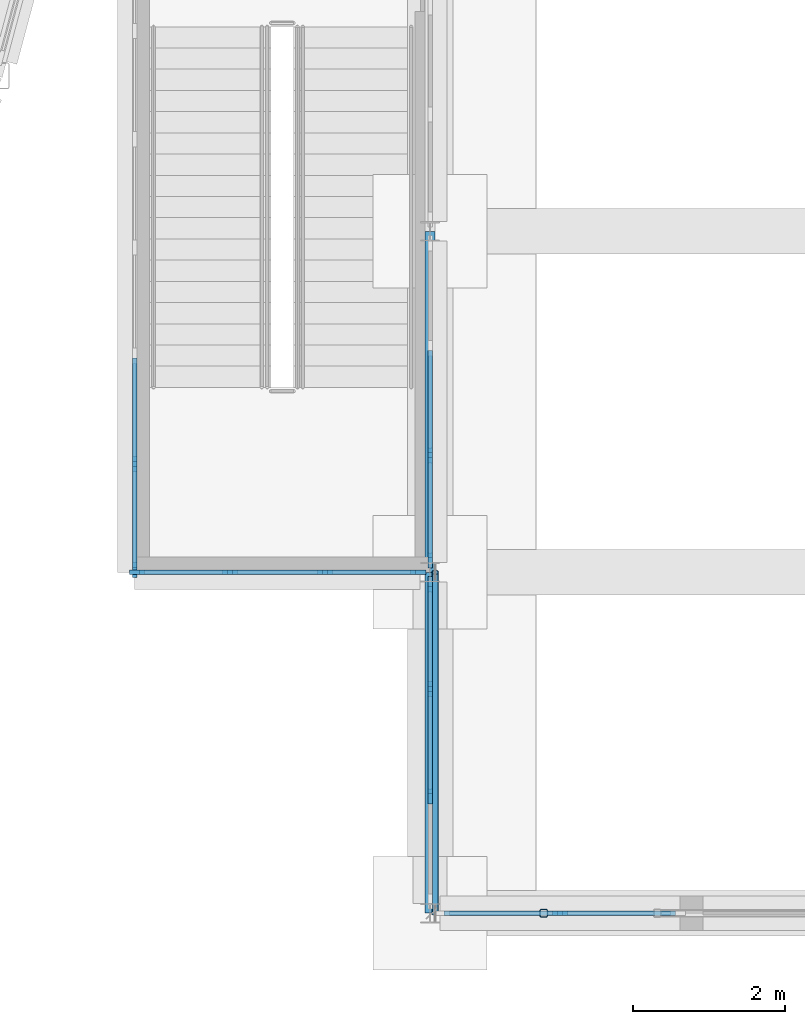
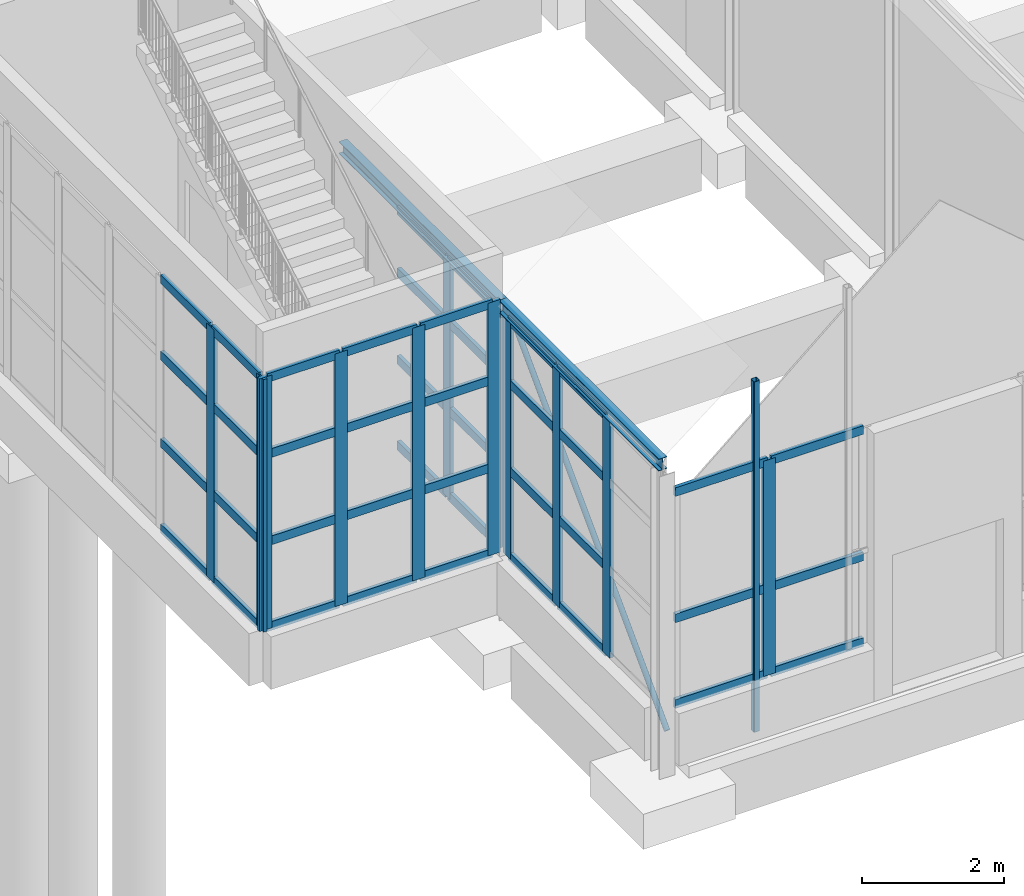
# One storey, part 39 of 106: 56 members, 2 beams, 5 elements without a shape of their own.
"""IFC4 building model written with IfcOpenShell, lengths in metres."""

from ifc_helpers import new_model, si_unit, direction, frame, origin, origin_2d, place, context, subcontext, project, spatial, rectangle, hollow_rectangle, hollow_circle, i_section, extrude, material, layer, layer_set, material_profile, profile_set, type_object, element, aggregate, save


model = new_model("IFC4")

# Units and contexts
model_context = context("Model", 3, precision=1e-05, world=origin(), true_north=direction((0.0, 1.0)))
body_context = subcontext(model_context, "Body", "Model", "MODEL_VIEW")
ifc_project = project(units=[si_unit("LENGTHUNIT", "METRE"), si_unit("AREAUNIT", "SQUARE_METRE"), si_unit("VOLUMEUNIT", "CUBIC_METRE"), si_unit("PLANEANGLEUNIT", "RADIAN"), si_unit("MASSUNIT", "GRAM", prefix="KILO")], contexts=[model_context])

# Site, building, storey
site_placement = place(None, origin())
site = spatial("IfcSite", under=ifc_project, at=site_placement, CompositionType="ELEMENT")
building_placement = place(site_placement, origin())
building = spatial("IfcBuilding", under=site, at=building_placement, Name="Hortulan Conservatory and Botanical Research Centre", CompositionType="ELEMENT")
storey_placement = place(building_placement, origin())
storey = spatial("IfcBuildingStorey", under=building, at=storey_placement, Name="L00", CompositionType="ELEMENT", Elevation=0.0)

# Curtain wall, members
ifc_material_1 = material(Name="Bronze-finished aluminium", Category="aluminium")
ifc_layer = layer(ifc_material_1, 0.10009765625)
ifc_layer_set = layer_set([ifc_layer], Name="Bronze-framed Curtain Wall 1500 module")
curtain_wall_type = type_object("IfcCurtainWallType", Name="Bronze-framed Curtain Wall 1500 module", PredefinedType="NOTDEFINED", material=ifc_layer_set)
curtain_wall_1_placement = place(storey_placement, origin())
curtain_wall_1 = element("IfcCurtainWall", 1, at=curtain_wall_1_placement, inside=storey, type_object=curtain_wall_type, Name="Curtain wall", PredefinedType="NOTDEFINED")
ifc_material_profile_1 = material_profile(ifc_material_1, rectangle(XDim=0.06005859375, YDim=0.199951171875, at=origin_2d()), Name="Bronze Mullion 60x200")
ifc_profile_set_1 = profile_set([ifc_material_profile_1], Name="Bronze-finished aluminium")
member_type_1 = type_object("IfcMemberType", Name="Bronze Mullion 60x200", PredefinedType="MULLION", material=ifc_profile_set_1)
member_1_placement = place(storey_placement, frame((76.343017578125, 4.5, 0.89990234375), z_axis=(0.0, 0.0, 1.0), x_axis=(0.0, -1.0, 0.0)))
member_1 = element("IfcMember", 2, at=member_1_placement, type_object=member_type_1, Name="CW1 mullion 1", PredefinedType="MULLION", context=body_context, shape_type="SweptSolid", body=[
    extrude(rectangle(XDim=0.06005859375, YDim=0.199951171875, at=origin_2d()), origin(), (0.0, 0.0, 1.0), 4.340087890625),
])
member_2_placement = place(storey_placement, frame((75.115234375, 4.5, 0.89990234375), z_axis=(0.0, 0.0, 1.0), x_axis=(0.0, -1.0, 0.0)))
member_2 = element("IfcMember", 3, at=member_2_placement, type_object=member_type_1, Name="CW1 mullion 2", PredefinedType="MULLION", context=body_context, shape_type="SweptSolid", body=[
    extrude(rectangle(XDim=0.06005859375, YDim=0.199951171875, at=origin_2d()), origin(), (0.0, 0.0, 1.0), 4.340087890625),
])
member_3_placement = place(storey_placement, frame((73.857666015625, 4.5, 0.89990234375), z_axis=(0.0, 0.0, 1.0), x_axis=(0.0, -1.0, 0.0)))
member_3 = element("IfcMember", 4, at=member_3_placement, type_object=member_type_1, Name="CW1 mullion 3", PredefinedType="MULLION", context=body_context, shape_type="SweptSolid", body=[
    extrude(rectangle(XDim=0.06005859375, YDim=0.199951171875, at=origin_2d()), origin(), (0.0, 0.0, 1.0), 4.340087890625),
])
member_4_placement = place(storey_placement, frame((72.6298828125, 4.5, 0.89990234375), z_axis=(0.0, 0.0, 1.0), x_axis=(0.0, -1.0, 0.0)))
member_4 = element("IfcMember", 5, at=member_4_placement, type_object=member_type_1, Name="CW1 mullion 4", PredefinedType="MULLION", context=body_context, shape_type="SweptSolid", body=[
    extrude(rectangle(XDim=0.06005859375, YDim=0.199951171875, at=origin_2d()), origin(), (0.0, 0.0, 1.0), 4.340087890625),
])

curtain_wall_2_placement = place(storey_placement, origin())
curtain_wall_2 = element("IfcCurtainWall", 6, at=curtain_wall_2_placement, inside=storey, type_object=curtain_wall_type, Name="Curtain wall", PredefinedType="NOTDEFINED")
member_5_placement = place(storey_placement, frame((72.60009765625, 4.530029296875, 0.89990234375), z_axis=(0.0, 0.0, 1.0), x_axis=(-1.0, 0.0, 0.0)))
member_5 = element("IfcMember", 7, at=member_5_placement, type_object=member_type_1, Name="CW1 mullion 1", PredefinedType="MULLION", context=body_context, shape_type="SweptSolid", body=[
    extrude(rectangle(XDim=0.06005859375, YDim=0.199951171875, at=origin_2d()), origin(), (0.0, 0.0, 1.0), 4.340087890625),
])
member_6_placement = place(storey_placement, frame((72.60009765625, 5.9287109375, 0.89990234375), z_axis=(0.0, 0.0, 1.0), x_axis=(-1.0, 0.0, 0.0)))
member_6 = element("IfcMember", 8, at=member_6_placement, type_object=member_type_1, Name="CW1 mullion 2", PredefinedType="MULLION", context=body_context, shape_type="SweptSolid", body=[
    extrude(rectangle(XDim=0.06005859375, YDim=0.199951171875, at=origin_2d()), origin(), (0.0, 0.0, 1.0), 4.340087890625),
])

# Curtain wall, member
curtain_wall_3_placement = place(storey_placement, origin())
curtain_wall_3 = element("IfcCurtainWall", 9, at=curtain_wall_3_placement, inside=storey, type_object=curtain_wall_type, Name="Curtain wall", PredefinedType="NOTDEFINED")
member_7_placement = place(storey_placement, frame((78.21337890625, 0.0, 0.89990234375), z_axis=(0.0, 0.0, 1.0), x_axis=(0.0, -1.0, 0.0)))
member_7 = element("IfcMember", 10, at=member_7_placement, type_object=member_type_1, Name="CW1 mullion 2", PredefinedType="MULLION", context=body_context, shape_type="SweptSolid", body=[
    extrude(rectangle(XDim=0.06005859375, YDim=0.199951171875, at=origin_2d()), origin(), (0.0, 0.0, 1.0), 3.7001953125),
])

# Curtain wall, members
curtain_wall_4_placement = place(storey_placement, origin())
curtain_wall_4 = element("IfcCurtainWall", 11, at=curtain_wall_4_placement, inside=storey, type_object=curtain_wall_type, Name="Curtain wall", PredefinedType="NOTDEFINED")
member_8_placement = place(storey_placement, frame((76.5, 6.042236328125, 0.89990234375), z_axis=(0.0, 0.0, 1.0), x_axis=(1.0, 0.0, 0.0)))
member_8 = element("IfcMember", 12, at=member_8_placement, type_object=member_type_1, Name="CW1 mullion 3", PredefinedType="MULLION", context=body_context, shape_type="SweptSolid", body=[
    extrude(rectangle(XDim=0.06005859375, YDim=0.199951171875, at=origin_2d()), origin(), (0.0, 0.0, 1.0), 4.10009765625),
])
member_9_placement = place(storey_placement, frame((76.5, 4.656982421875, 0.89990234375), z_axis=(0.0, 0.0, 1.0), x_axis=(1.0, 0.0, 0.0)))
member_9 = element("IfcMember", 13, at=member_9_placement, type_object=member_type_1, Name="CW1 mullion 4", PredefinedType="MULLION", context=body_context, shape_type="SweptSolid", body=[
    extrude(rectangle(XDim=0.06005859375, YDim=0.199951171875, at=origin_2d()), origin(), (0.0, 0.0, 1.0), 4.10009765625),
])

curtain_wall_5_placement = place(storey_placement, origin())
curtain_wall_5 = element("IfcCurtainWall", 14, at=curtain_wall_5_placement, inside=storey, type_object=curtain_wall_type, Name="Curtain wall", PredefinedType="NOTDEFINED")
member_10_placement = place(storey_placement, frame((76.5, 4.343017578125, 0.89990234375), z_axis=(0.0, 0.0, 1.0), x_axis=(1.0, 0.0, 0.0)))
member_10 = element("IfcMember", 15, at=member_10_placement, type_object=member_type_1, Name="CW1 mullion 1", PredefinedType="MULLION", context=body_context, shape_type="SweptSolid", body=[
    extrude(rectangle(XDim=0.06005859375, YDim=0.199951171875, at=origin_2d()), origin(), (0.0, 0.0, 1.0), 4.10009765625),
])
member_11_placement = place(storey_placement, frame((76.5, 2.957763671875, 0.89990234375), z_axis=(0.0, 0.0, 1.0), x_axis=(1.0, 0.0, 0.0)))
member_11 = element("IfcMember", 16, at=member_11_placement, type_object=member_type_1, Name="CW1 mullion 2", PredefinedType="MULLION", context=body_context, shape_type="SweptSolid", body=[
    extrude(rectangle(XDim=0.06005859375, YDim=0.199951171875, at=origin_2d()), origin(), (0.0, 0.0, 1.0), 4.10009765625),
])
member_12_placement = place(storey_placement, frame((76.5, 1.542236328125, 0.89990234375), z_axis=(0.0, 0.0, 1.0), x_axis=(1.0, 0.0, 0.0)))
member_12 = element("IfcMember", 17, at=member_12_placement, type_object=member_type_1, Name="CW1 mullion 3", PredefinedType="MULLION", context=body_context, shape_type="SweptSolid", body=[
    extrude(rectangle(XDim=0.06005859375, YDim=0.199951171875, at=origin_2d()), origin(), (0.0, 0.0, 1.0), 4.10009765625),
])

# Member
ifc_material_profile_2 = material_profile(ifc_material_1, rectangle(XDim=0.06005859375, YDim=0.14990234375, at=origin_2d()), Name="Bronze Transom 60x150")
ifc_profile_set_2 = profile_set([ifc_material_profile_2], Name="Bronze-finished aluminium")
member_type_2 = type_object("IfcMemberType", Name="Bronze Transom 60x150", PredefinedType="USERDEFINED", material=ifc_profile_set_2)
member_13_placement = place(storey_placement, frame((76.31298828125, 4.5, 0.929931640625), z_axis=(-1.0, 0.0, 0.0), x_axis=(0.0, -1.0, 0.0)))
member_13 = element("IfcMember", 18, at=member_13_placement, type_object=member_type_2, Name="CW1 transom 1.1", ObjectType="TRANSOM", PredefinedType="USERDEFINED", context=body_context, shape_type="SweptSolid", body=[
    extrude(rectangle(XDim=0.06005859375, YDim=0.14990234375, at=origin_2d()), origin(), (0.0, 0.0, 1.0), 1.167724609375),
])

member_14_placement = place(storey_placement, frame((76.31298828125, 4.5, 2.39990234375), z_axis=(-1.0, 0.0, 0.0), x_axis=(0.0, -1.0, 0.0)))
member_14 = element("IfcMember", 19, at=member_14_placement, type_object=member_type_2, Name="CW1 transom 1.2", ObjectType="TRANSOM", PredefinedType="USERDEFINED", context=body_context, shape_type="SweptSolid", body=[
    extrude(rectangle(XDim=0.06005859375, YDim=0.14990234375, at=origin_2d()), origin(), (0.0, 0.0, 1.0), 1.167724609375),
])

member_15_placement = place(storey_placement, frame((76.31298828125, 4.5, 3.89990234375), z_axis=(-1.0, 0.0, 0.0), x_axis=(0.0, -1.0, 0.0)))
member_15 = element("IfcMember", 20, at=member_15_placement, type_object=member_type_2, Name="CW1 transom 1.3", ObjectType="TRANSOM", PredefinedType="USERDEFINED", context=body_context, shape_type="SweptSolid", body=[
    extrude(rectangle(XDim=0.06005859375, YDim=0.14990234375, at=origin_2d()), origin(), (0.0, 0.0, 1.0), 1.167724609375),
])

member_16_placement = place(storey_placement, frame((76.31298828125, 4.5, 5.2099609375), z_axis=(-1.0, 0.0, 0.0), x_axis=(0.0, -1.0, 0.0)))
member_16 = element("IfcMember", 21, at=member_16_placement, type_object=member_type_2, Name="CW1 transom 1.4", ObjectType="TRANSOM", PredefinedType="USERDEFINED", context=body_context, shape_type="SweptSolid", body=[
    extrude(rectangle(XDim=0.06005859375, YDim=0.14990234375, at=origin_2d()), origin(), (0.0, 0.0, 1.0), 1.167724609375),
])

member_17_placement = place(storey_placement, frame((75.08544921875, 4.5, 0.929931640625), z_axis=(-1.0, 0.0, 0.0), x_axis=(0.0, -1.0, 0.0)))
member_17 = element("IfcMember", 22, at=member_17_placement, type_object=member_type_2, Name="CW1 transom 2.1", ObjectType="TRANSOM", PredefinedType="USERDEFINED", context=body_context, shape_type="SweptSolid", body=[
    extrude(rectangle(XDim=0.06005859375, YDim=0.14990234375, at=origin_2d()), origin(), (0.0, 0.0, 1.0), 1.19775390625),
])

member_18_placement = place(storey_placement, frame((75.08544921875, 4.5, 2.39990234375), z_axis=(-1.0, 0.0, 0.0), x_axis=(0.0, -1.0, 0.0)))
member_18 = element("IfcMember", 23, at=member_18_placement, type_object=member_type_2, Name="CW1 transom 2.2", ObjectType="TRANSOM", PredefinedType="USERDEFINED", context=body_context, shape_type="SweptSolid", body=[
    extrude(rectangle(XDim=0.06005859375, YDim=0.14990234375, at=origin_2d()), origin(), (0.0, 0.0, 1.0), 1.19775390625),
])

member_19_placement = place(storey_placement, frame((75.08544921875, 4.5, 3.89990234375), z_axis=(-1.0, 0.0, 0.0), x_axis=(0.0, -1.0, 0.0)))
member_19 = element("IfcMember", 24, at=member_19_placement, type_object=member_type_2, Name="CW1 transom 2.3", ObjectType="TRANSOM", PredefinedType="USERDEFINED", context=body_context, shape_type="SweptSolid", body=[
    extrude(rectangle(XDim=0.06005859375, YDim=0.14990234375, at=origin_2d()), origin(), (0.0, 0.0, 1.0), 1.19775390625),
])

member_20_placement = place(storey_placement, frame((75.08544921875, 4.5, 5.2099609375), z_axis=(-1.0, 0.0, 0.0), x_axis=(0.0, -1.0, 0.0)))
member_20 = element("IfcMember", 25, at=member_20_placement, type_object=member_type_2, Name="CW1 transom 2.4", ObjectType="TRANSOM", PredefinedType="USERDEFINED", context=body_context, shape_type="SweptSolid", body=[
    extrude(rectangle(XDim=0.06005859375, YDim=0.14990234375, at=origin_2d()), origin(), (0.0, 0.0, 1.0), 1.19775390625),
])

member_21_placement = place(storey_placement, frame((73.82763671875, 4.5, 0.929931640625), z_axis=(-1.0, 0.0, 0.0), x_axis=(0.0, -1.0, 0.0)))
member_21 = element("IfcMember", 26, at=member_21_placement, type_object=member_type_2, Name="CW1 transom 3.1", ObjectType="TRANSOM", PredefinedType="USERDEFINED", context=body_context, shape_type="SweptSolid", body=[
    extrude(rectangle(XDim=0.06005859375, YDim=0.14990234375, at=origin_2d()), origin(), (0.0, 0.0, 1.0), 1.167724609375),
])

member_22_placement = place(storey_placement, frame((73.82763671875, 4.5, 2.39990234375), z_axis=(-1.0, 0.0, 0.0), x_axis=(0.0, -1.0, 0.0)))
member_22 = element("IfcMember", 27, at=member_22_placement, type_object=member_type_2, Name="CW1 transom 3.2", ObjectType="TRANSOM", PredefinedType="USERDEFINED", context=body_context, shape_type="SweptSolid", body=[
    extrude(rectangle(XDim=0.06005859375, YDim=0.14990234375, at=origin_2d()), origin(), (0.0, 0.0, 1.0), 1.167724609375),
])

member_23_placement = place(storey_placement, frame((73.82763671875, 4.5, 3.89990234375), z_axis=(-1.0, 0.0, 0.0), x_axis=(0.0, -1.0, 0.0)))
member_23 = element("IfcMember", 28, at=member_23_placement, type_object=member_type_2, Name="CW1 transom 3.3", ObjectType="TRANSOM", PredefinedType="USERDEFINED", context=body_context, shape_type="SweptSolid", body=[
    extrude(rectangle(XDim=0.06005859375, YDim=0.14990234375, at=origin_2d()), origin(), (0.0, 0.0, 1.0), 1.167724609375),
])

member_24_placement = place(storey_placement, frame((73.82763671875, 4.5, 5.2099609375), z_axis=(-1.0, 0.0, 0.0), x_axis=(0.0, -1.0, 0.0)))
member_24 = element("IfcMember", 29, at=member_24_placement, type_object=member_type_2, Name="CW1 transom 3.4", ObjectType="TRANSOM", PredefinedType="USERDEFINED", context=body_context, shape_type="SweptSolid", body=[
    extrude(rectangle(XDim=0.06005859375, YDim=0.14990234375, at=origin_2d()), origin(), (0.0, 0.0, 1.0), 1.167724609375),
])

aggregate(curtain_wall_1, [member_1, member_2, member_3, member_4, member_13, member_14, member_15, member_16, member_17, member_18, member_19, member_20, member_21, member_22, member_23, member_24])

member_25_placement = place(storey_placement, frame((72.60009765625, 4.56005859375, 0.929931640625), z_axis=(0.0, 1.0, 0.0), x_axis=(-1.0, 0.0, 0.0)))
member_25 = element("IfcMember", 30, at=member_25_placement, type_object=member_type_2, Name="CW1 transom 1.1", ObjectType="TRANSOM", PredefinedType="USERDEFINED", context=body_context, shape_type="SweptSolid", body=[
    extrude(rectangle(XDim=0.06005859375, YDim=0.14990234375, at=origin_2d()), origin(), (0.0, 0.0, 1.0), 1.338623046875),
])

member_26_placement = place(storey_placement, frame((72.60009765625, 4.56005859375, 2.39990234375), z_axis=(0.0, 1.0, 0.0), x_axis=(-1.0, 0.0, 0.0)))
member_26 = element("IfcMember", 31, at=member_26_placement, type_object=member_type_2, Name="CW1 transom 1.2", ObjectType="TRANSOM", PredefinedType="USERDEFINED", context=body_context, shape_type="SweptSolid", body=[
    extrude(rectangle(XDim=0.06005859375, YDim=0.14990234375, at=origin_2d()), origin(), (0.0, 0.0, 1.0), 1.338623046875),
])

member_27_placement = place(storey_placement, frame((72.60009765625, 4.56005859375, 3.89990234375), z_axis=(0.0, 1.0, 0.0), x_axis=(-1.0, 0.0, 0.0)))
member_27 = element("IfcMember", 32, at=member_27_placement, type_object=member_type_2, Name="CW1 transom 1.3", ObjectType="TRANSOM", PredefinedType="USERDEFINED", context=body_context, shape_type="SweptSolid", body=[
    extrude(rectangle(XDim=0.06005859375, YDim=0.14990234375, at=origin_2d()), origin(), (0.0, 0.0, 1.0), 1.338623046875),
])

member_28_placement = place(storey_placement, frame((72.60009765625, 4.56005859375, 5.2099609375), z_axis=(0.0, 1.0, 0.0), x_axis=(-1.0, 0.0, 0.0)))
member_28 = element("IfcMember", 33, at=member_28_placement, type_object=member_type_2, Name="CW1 transom 1.4", ObjectType="TRANSOM", PredefinedType="USERDEFINED", context=body_context, shape_type="SweptSolid", body=[
    extrude(rectangle(XDim=0.06005859375, YDim=0.14990234375, at=origin_2d()), origin(), (0.0, 0.0, 1.0), 1.338623046875),
])

member_29_placement = place(storey_placement, frame((72.60009765625, 5.958740234375, 0.929931640625), z_axis=(0.0, 1.0, 0.0), x_axis=(-1.0, 0.0, 0.0)))
member_29 = element("IfcMember", 34, at=member_29_placement, type_object=member_type_2, Name="CW1 transom 2.1", ObjectType="TRANSOM", PredefinedType="USERDEFINED", context=body_context, shape_type="SweptSolid", body=[
    extrude(rectangle(XDim=0.06005859375, YDim=0.14990234375, at=origin_2d()), origin(), (0.0, 0.0, 1.0), 1.368896484375),
])

member_30_placement = place(storey_placement, frame((72.60009765625, 5.958740234375, 2.39990234375), z_axis=(0.0, 1.0, 0.0), x_axis=(-1.0, 0.0, 0.0)))
member_30 = element("IfcMember", 35, at=member_30_placement, type_object=member_type_2, Name="CW1 transom 2.2", ObjectType="TRANSOM", PredefinedType="USERDEFINED", context=body_context, shape_type="SweptSolid", body=[
    extrude(rectangle(XDim=0.06005859375, YDim=0.14990234375, at=origin_2d()), origin(), (0.0, 0.0, 1.0), 1.368896484375),
])

member_31_placement = place(storey_placement, frame((72.60009765625, 5.958740234375, 3.89990234375), z_axis=(0.0, 1.0, 0.0), x_axis=(-1.0, 0.0, 0.0)))
member_31 = element("IfcMember", 36, at=member_31_placement, type_object=member_type_2, Name="CW1 transom 2.3", ObjectType="TRANSOM", PredefinedType="USERDEFINED", context=body_context, shape_type="SweptSolid", body=[
    extrude(rectangle(XDim=0.06005859375, YDim=0.14990234375, at=origin_2d()), origin(), (0.0, 0.0, 1.0), 1.368896484375),
])

member_32_placement = place(storey_placement, frame((72.60009765625, 5.958740234375, 5.2099609375), z_axis=(0.0, 1.0, 0.0), x_axis=(-1.0, 0.0, 0.0)))
member_32 = element("IfcMember", 37, at=member_32_placement, type_object=member_type_2, Name="CW1 transom 2.4", ObjectType="TRANSOM", PredefinedType="USERDEFINED", context=body_context, shape_type="SweptSolid", body=[
    extrude(rectangle(XDim=0.06005859375, YDim=0.14990234375, at=origin_2d()), origin(), (0.0, 0.0, 1.0), 1.368896484375),
])

aggregate(curtain_wall_2, [member_5, member_6, member_25, member_26, member_27, member_28, member_29, member_30, member_31, member_32])

member_33_placement = place(storey_placement, frame((79.739990234375, 0.0, 0.929931640625), z_axis=(-1.0, 0.0, 0.0), x_axis=(0.0, -1.0, 0.0)))
member_33 = element("IfcMember", 38, at=member_33_placement, type_object=member_type_2, Name="CW1 transom 1.1", ObjectType="TRANSOM", PredefinedType="USERDEFINED", context=body_context, shape_type="SweptSolid", body=[
    extrude(rectangle(XDim=0.06005859375, YDim=0.14990234375, at=origin_2d()), origin(), (0.0, 0.0, 1.0), 1.49658203125),
])

member_34_placement = place(storey_placement, frame((79.739990234375, 0.0, 2.39990234375), z_axis=(-1.0, 0.0, 0.0), x_axis=(0.0, -1.0, 0.0)))
member_34 = element("IfcMember", 39, at=member_34_placement, type_object=member_type_2, Name="CW1 transom 1.2", ObjectType="TRANSOM", PredefinedType="USERDEFINED", context=body_context, shape_type="SweptSolid", body=[
    extrude(rectangle(XDim=0.06005859375, YDim=0.14990234375, at=origin_2d()), origin(), (0.0, 0.0, 1.0), 1.49658203125),
])

member_35_placement = place(storey_placement, frame((79.739990234375, 0.0, 4.570068359375), z_axis=(-1.0, 0.0, 0.0), x_axis=(0.0, -1.0, 0.0)))
member_35 = element("IfcMember", 40, at=member_35_placement, type_object=member_type_2, Name="CW1 transom 1.3", ObjectType="TRANSOM", PredefinedType="USERDEFINED", context=body_context, shape_type="SweptSolid", body=[
    extrude(rectangle(XDim=0.06005859375, YDim=0.14990234375, at=origin_2d()), origin(), (0.0, 0.0, 1.0), 1.49658203125),
])

member_36_placement = place(storey_placement, frame((78.18359375, 0.0, 0.929931640625), z_axis=(-1.0, 0.0, 0.0), x_axis=(0.0, -1.0, 0.0)))
member_36 = element("IfcMember", 41, at=member_36_placement, type_object=member_type_2, Name="CW1 transom 2.1", ObjectType="TRANSOM", PredefinedType="USERDEFINED", context=body_context, shape_type="SweptSolid", body=[
    extrude(rectangle(XDim=0.06005859375, YDim=0.14990234375, at=origin_2d()), origin(), (0.0, 0.0, 1.0), 1.49658203125),
])

member_37_placement = place(storey_placement, frame((78.18359375, 0.0, 2.39990234375), z_axis=(-1.0, 0.0, 0.0), x_axis=(0.0, -1.0, 0.0)))
member_37 = element("IfcMember", 42, at=member_37_placement, type_object=member_type_2, Name="CW1 transom 2.2", ObjectType="TRANSOM", PredefinedType="USERDEFINED", context=body_context, shape_type="SweptSolid", body=[
    extrude(rectangle(XDim=0.06005859375, YDim=0.14990234375, at=origin_2d()), origin(), (0.0, 0.0, 1.0), 1.49658203125),
])

member_38_placement = place(storey_placement, frame((78.18359375, 0.0, 4.570068359375), z_axis=(-1.0, 0.0, 0.0), x_axis=(0.0, -1.0, 0.0)))
member_38 = element("IfcMember", 43, at=member_38_placement, type_object=member_type_2, Name="CW1 transom 2.3", ObjectType="TRANSOM", PredefinedType="USERDEFINED", context=body_context, shape_type="SweptSolid", body=[
    extrude(rectangle(XDim=0.06005859375, YDim=0.14990234375, at=origin_2d()), origin(), (0.0, 0.0, 1.0), 1.49658203125),
])

aggregate(curtain_wall_3, [member_7, member_33, member_34, member_35, member_36, member_37, member_38])

member_39_placement = place(storey_placement, frame((76.5, 7.427734375, 0.929931640625), z_axis=(0.0, -1.0, 0.0), x_axis=(1.0, 0.0, 0.0)))
member_39 = element("IfcMember", 44, at=member_39_placement, type_object=member_type_2, Name="CW1 transom 2.1", ObjectType="TRANSOM", PredefinedType="USERDEFINED", context=body_context, shape_type="SweptSolid", body=[
    extrude(rectangle(XDim=0.06005859375, YDim=0.14990234375, at=origin_2d()), origin(), (0.0, 0.0, 1.0), 1.35546875),
])

member_40_placement = place(storey_placement, frame((76.5, 7.427734375, 2.39990234375), z_axis=(0.0, -1.0, 0.0), x_axis=(1.0, 0.0, 0.0)))
member_40 = element("IfcMember", 45, at=member_40_placement, type_object=member_type_2, Name="CW1 transom 2.2", ObjectType="TRANSOM", PredefinedType="USERDEFINED", context=body_context, shape_type="SweptSolid", body=[
    extrude(rectangle(XDim=0.06005859375, YDim=0.14990234375, at=origin_2d()), origin(), (0.0, 0.0, 1.0), 1.35546875),
])

member_41_placement = place(storey_placement, frame((76.5, 7.427734375, 3.89990234375), z_axis=(0.0, -1.0, 0.0), x_axis=(1.0, 0.0, 0.0)))
member_41 = element("IfcMember", 46, at=member_41_placement, type_object=member_type_2, Name="CW1 transom 2.3", ObjectType="TRANSOM", PredefinedType="USERDEFINED", context=body_context, shape_type="SweptSolid", body=[
    extrude(rectangle(XDim=0.06005859375, YDim=0.14990234375, at=origin_2d()), origin(), (0.0, 0.0, 1.0), 1.35546875),
])

member_42_placement = place(storey_placement, frame((76.5, 7.427734375, 4.969970703125), z_axis=(0.0, -1.0, 0.0), x_axis=(1.0, 0.0, 0.0)))
member_42 = element("IfcMember", 47, at=member_42_placement, type_object=member_type_2, Name="CW1 transom 2.4", ObjectType="TRANSOM", PredefinedType="USERDEFINED", context=body_context, shape_type="SweptSolid", body=[
    extrude(rectangle(XDim=0.06005859375, YDim=0.14990234375, at=origin_2d()), origin(), (0.0, 0.0, 1.0), 1.35546875),
])

member_43_placement = place(storey_placement, frame((76.5, 6.012451171875, 0.929931640625), z_axis=(0.0, -1.0, 0.0), x_axis=(1.0, 0.0, 0.0)))
member_43 = element("IfcMember", 48, at=member_43_placement, type_object=member_type_2, Name="CW1 transom 3.1", ObjectType="TRANSOM", PredefinedType="USERDEFINED", context=body_context, shape_type="SweptSolid", body=[
    extrude(rectangle(XDim=0.06005859375, YDim=0.14990234375, at=origin_2d()), origin(), (0.0, 0.0, 1.0), 1.325439453125),
])

member_44_placement = place(storey_placement, frame((76.5, 6.012451171875, 2.39990234375), z_axis=(0.0, -1.0, 0.0), x_axis=(1.0, 0.0, 0.0)))
member_44 = element("IfcMember", 49, at=member_44_placement, type_object=member_type_2, Name="CW1 transom 3.2", ObjectType="TRANSOM", PredefinedType="USERDEFINED", context=body_context, shape_type="SweptSolid", body=[
    extrude(rectangle(XDim=0.06005859375, YDim=0.14990234375, at=origin_2d()), origin(), (0.0, 0.0, 1.0), 1.325439453125),
])

member_45_placement = place(storey_placement, frame((76.5, 6.012451171875, 3.89990234375), z_axis=(0.0, -1.0, 0.0), x_axis=(1.0, 0.0, 0.0)))
member_45 = element("IfcMember", 50, at=member_45_placement, type_object=member_type_2, Name="CW1 transom 3.3", ObjectType="TRANSOM", PredefinedType="USERDEFINED", context=body_context, shape_type="SweptSolid", body=[
    extrude(rectangle(XDim=0.06005859375, YDim=0.14990234375, at=origin_2d()), origin(), (0.0, 0.0, 1.0), 1.325439453125),
])

member_46_placement = place(storey_placement, frame((76.5, 6.012451171875, 4.969970703125), z_axis=(0.0, -1.0, 0.0), x_axis=(1.0, 0.0, 0.0)))
member_46 = element("IfcMember", 51, at=member_46_placement, type_object=member_type_2, Name="CW1 transom 3.4", ObjectType="TRANSOM", PredefinedType="USERDEFINED", context=body_context, shape_type="SweptSolid", body=[
    extrude(rectangle(XDim=0.06005859375, YDim=0.14990234375, at=origin_2d()), origin(), (0.0, 0.0, 1.0), 1.325439453125),
])

aggregate(curtain_wall_4, [member_8, member_9, member_39, member_40, member_41, member_42, member_43, member_44, member_45, member_46])

member_47_placement = place(storey_placement, frame((76.5, 4.31298828125, 0.929931640625), z_axis=(0.0, -1.0, 0.0), x_axis=(1.0, 0.0, 0.0)))
member_47 = element("IfcMember", 52, at=member_47_placement, type_object=member_type_2, Name="CW1 transom 1.1", ObjectType="TRANSOM", PredefinedType="USERDEFINED", context=body_context, shape_type="SweptSolid", body=[
    extrude(rectangle(XDim=0.06005859375, YDim=0.14990234375, at=origin_2d()), origin(), (0.0, 0.0, 1.0), 1.325439453125),
])

member_48_placement = place(storey_placement, frame((76.5, 4.31298828125, 2.39990234375), z_axis=(0.0, -1.0, 0.0), x_axis=(1.0, 0.0, 0.0)))
member_48 = element("IfcMember", 53, at=member_48_placement, type_object=member_type_2, Name="CW1 transom 1.2", ObjectType="TRANSOM", PredefinedType="USERDEFINED", context=body_context, shape_type="SweptSolid", body=[
    extrude(rectangle(XDim=0.06005859375, YDim=0.14990234375, at=origin_2d()), origin(), (0.0, 0.0, 1.0), 1.325439453125),
])

member_49_placement = place(storey_placement, frame((76.5, 4.31298828125, 3.89990234375), z_axis=(0.0, -1.0, 0.0), x_axis=(1.0, 0.0, 0.0)))
member_49 = element("IfcMember", 54, at=member_49_placement, type_object=member_type_2, Name="CW1 transom 1.3", ObjectType="TRANSOM", PredefinedType="USERDEFINED", context=body_context, shape_type="SweptSolid", body=[
    extrude(rectangle(XDim=0.06005859375, YDim=0.14990234375, at=origin_2d()), origin(), (0.0, 0.0, 1.0), 1.325439453125),
])

member_50_placement = place(storey_placement, frame((76.5, 4.31298828125, 4.969970703125), z_axis=(0.0, -1.0, 0.0), x_axis=(1.0, 0.0, 0.0)))
member_50 = element("IfcMember", 55, at=member_50_placement, type_object=member_type_2, Name="CW1 transom 1.4", ObjectType="TRANSOM", PredefinedType="USERDEFINED", context=body_context, shape_type="SweptSolid", body=[
    extrude(rectangle(XDim=0.06005859375, YDim=0.14990234375, at=origin_2d()), origin(), (0.0, 0.0, 1.0), 1.325439453125),
])

member_51_placement = place(storey_placement, frame((76.5, 2.927734375, 0.929931640625), z_axis=(0.0, -1.0, 0.0), x_axis=(1.0, 0.0, 0.0)))
member_51 = element("IfcMember", 56, at=member_51_placement, type_object=member_type_2, Name="CW1 transom 2.1", ObjectType="TRANSOM", PredefinedType="USERDEFINED", context=body_context, shape_type="SweptSolid", body=[
    extrude(rectangle(XDim=0.06005859375, YDim=0.14990234375, at=origin_2d()), origin(), (0.0, 0.0, 1.0), 1.35546875),
])

member_52_placement = place(storey_placement, frame((76.5, 2.927734375, 2.39990234375), z_axis=(0.0, -1.0, 0.0), x_axis=(1.0, 0.0, 0.0)))
member_52 = element("IfcMember", 57, at=member_52_placement, type_object=member_type_2, Name="CW1 transom 2.2", ObjectType="TRANSOM", PredefinedType="USERDEFINED", context=body_context, shape_type="SweptSolid", body=[
    extrude(rectangle(XDim=0.06005859375, YDim=0.14990234375, at=origin_2d()), origin(), (0.0, 0.0, 1.0), 1.35546875),
])

member_53_placement = place(storey_placement, frame((76.5, 2.927734375, 3.89990234375), z_axis=(0.0, -1.0, 0.0), x_axis=(1.0, 0.0, 0.0)))
member_53 = element("IfcMember", 58, at=member_53_placement, type_object=member_type_2, Name="CW1 transom 2.3", ObjectType="TRANSOM", PredefinedType="USERDEFINED", context=body_context, shape_type="SweptSolid", body=[
    extrude(rectangle(XDim=0.06005859375, YDim=0.14990234375, at=origin_2d()), origin(), (0.0, 0.0, 1.0), 1.35546875),
])

member_54_placement = place(storey_placement, frame((76.5, 2.927734375, 4.969970703125), z_axis=(0.0, -1.0, 0.0), x_axis=(1.0, 0.0, 0.0)))
member_54 = element("IfcMember", 59, at=member_54_placement, type_object=member_type_2, Name="CW1 transom 2.4", ObjectType="TRANSOM", PredefinedType="USERDEFINED", context=body_context, shape_type="SweptSolid", body=[
    extrude(rectangle(XDim=0.06005859375, YDim=0.14990234375, at=origin_2d()), origin(), (0.0, 0.0, 1.0), 1.35546875),
])

aggregate(curtain_wall_5, [member_10, member_11, member_12, member_47, member_48, member_49, member_50, member_51, member_52, member_53, member_54])

ifc_material_2 = material(Name="Steel Grade C350L0 (350 MPa, AS/NZS 1163)", Category="steel")
ifc_material_profile_3 = material_profile(ifc_material_2, hollow_circle(Radius=0.04443359375, WallThickness=0.005859375, at=origin_2d()), Name="88.9x5.9CHS")
ifc_profile_set_3 = profile_set([ifc_material_profile_3], Name="Steel Grade C350L0 (350 MPa, AS/NZS 1163)")
member_type_3 = type_object("IfcMemberType", Name="Climate House Bracing 88.9x5.9 CHS", PredefinedType="BRACE", material=ifc_profile_set_3)
member_55_placement = place(storey_placement, frame((76.568359375, 0.0, 0.5), z_axis=(0.0, 0.699021115287, 0.715101028095), x_axis=(-1.0, 0.0, 0.0)))
element("IfcMember", 60, at=member_55_placement, inside=storey, type_object=member_type_3, Name="Climate house wall bracing line 1 end bay 1", PredefinedType="BRACE", context=body_context, shape_type="SweptSolid", body=[
    extrude(hollow_circle(Radius=0.04443359375, WallThickness=0.005859375, at=origin_2d()), origin(), (0.0, 0.0, 1.0), 6.4375),
])

# Beams
ifc_material_3 = material(Name="Steel Grade 300PLUS (AS/NZS 3679.1, 280 MPa minimum yield)", Category="steel")
ifc_material_profile_4 = material_profile(ifc_material_3, i_section(OverallWidth=0.134033203125, OverallDepth=0.20703125, WebThickness=0.00634765625, FlangeThickness=0.009521484375, FilletRadius=0.0087890625, at=origin_2d()), Name="200UB29.8")
ifc_profile_set_4 = profile_set([ifc_material_profile_4], Name="Steel Grade 300PLUS (AS/NZS 3679.1, 280 MPa minimum yield)")
beam_type = type_object("IfcBeamType", Name="Climate House Eaves Beam 200UB29.8", PredefinedType="BEAM", material=ifc_profile_set_4)
for number, where, z_axis, x_axis, name in (
    (61, (76.5, 0.0, 5.103515625), (0.0, 1.0, 0.0), (-1.0, 0.0, 0.0), "Climate house eaves beam line 1 bay 1"),
    (62, (76.5, 4.5, 5.103515625), (0.0, 1.0, 0.0), (-1.0, 0.0, 0.0), "Climate house eaves beam line 1 bay 2"),
):
    element("IfcBeam", number, at=place(storey_placement, frame(where, z_axis=z_axis, x_axis=x_axis)), inside=storey, type_object=beam_type, Name=name, PredefinedType="BEAM", context=body_context, shape_type="SweptSolid", body=[
        extrude(i_section(OverallWidth=0.134033203125, OverallDepth=0.20703125, WebThickness=0.00634765625, FlangeThickness=0.009521484375, FilletRadius=0.0087890625, at=origin_2d()), origin(), (0.0, 0.0, 1.0), 4.5),
    ])

# Member
ifc_material_4 = material(Name="Steel Grade C450L0 (450 MPa, AS/NZS 1163)", Category="steel")
ifc_material_profile_5 = material_profile(ifc_material_4, hollow_rectangle(XDim=0.10009765625, YDim=0.10009765625, WallThickness=0.006103515625, InnerFilletRadius=0.009033203125, OuterFilletRadius=0.014892578125, at=origin_2d()), Name="100x100x6SHS")
ifc_profile_set_5 = profile_set([ifc_material_profile_5], Name="Steel Grade C450L0 (450 MPa, AS/NZS 1163)")
member_type_4 = type_object("IfcMemberType", Name="Climate House Gable Post 100x100x6 SHS", PredefinedType="POST", material=ifc_profile_set_5)
member_56_placement = place(storey_placement, frame((78.0, 0.0, 0.010009765625), z_axis=(0.0, 0.0, 1.0), x_axis=(1.0, 0.0, 0.0)))
element("IfcMember", 63, at=member_56_placement, inside=storey, type_object=member_type_4, Name="Temperate Glasshouse gable post S 1.5", PredefinedType="POST", context=body_context, shape_type="SweptSolid", body=[
    extrude(hollow_rectangle(XDim=0.10009765625, YDim=0.10009765625, WallThickness=0.006103515625, InnerFilletRadius=0.009033203125, OuterFilletRadius=0.014892578125, at=origin_2d()), origin(), (0.0, 0.0, 1.0), 6.0185546875),
])

save(model, "model.ifc")
